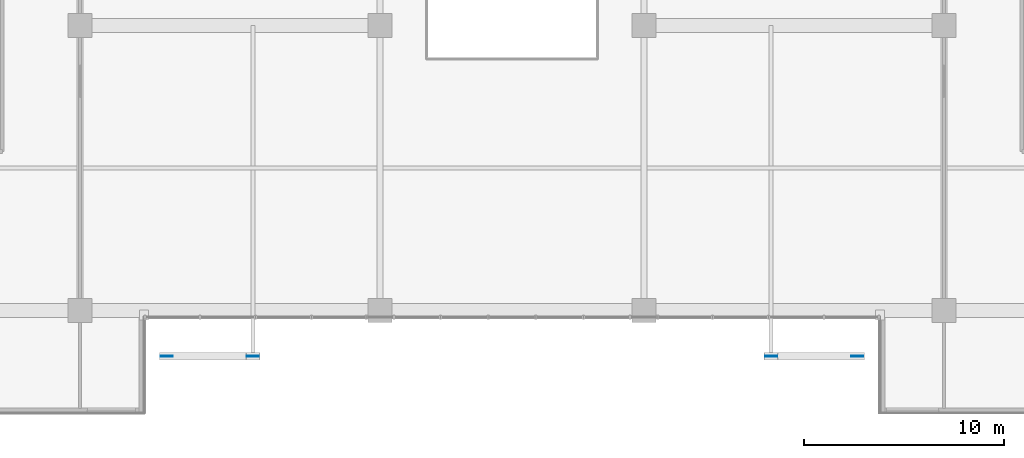
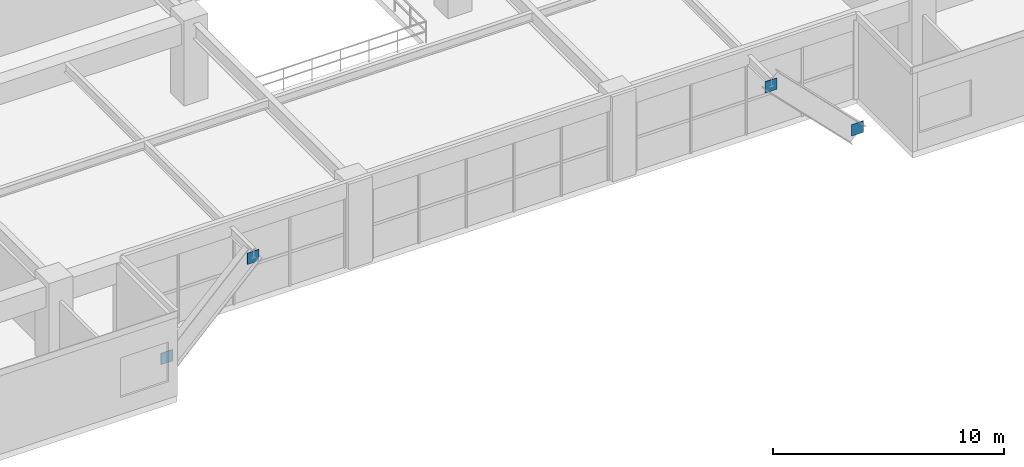
# One storey, part 14 of 24: 4 plates.
"""IFC4 building model written with IfcOpenShell, lengths in metres."""

from ifc_helpers import new_model, si_unit, direction, frame, origin, origin_2d, place, context, subcontext, project, spatial, rectangle, extrude, source, transform, mapped, material, layer, layer_set, type_object, element, save


model = new_model("IFC4")

# Units and contexts
model_context = context("Model", 3, precision=1e-05, world=origin(), true_north=direction((0.0, 1.0)))
body_context = subcontext(model_context, "Body", "Model", "MODEL_VIEW")
ifc_project = project(units=[si_unit("LENGTHUNIT", "METRE"), si_unit("AREAUNIT", "SQUARE_METRE"), si_unit("VOLUMEUNIT", "CUBIC_METRE"), si_unit("PLANEANGLEUNIT", "RADIAN"), si_unit("MASSUNIT", "GRAM", prefix="KILO")], contexts=[model_context])

# Site, building, storey
site_placement = place(None, origin())
site = spatial("IfcSite", under=ifc_project, at=site_placement, CompositionType="ELEMENT")
building_placement = place(site_placement, origin())
building = spatial("IfcBuilding", under=site, at=building_placement, Name="Trelvane Seafront Commons", CompositionType="ELEMENT")
storey_placement = place(building_placement, frame((0.0, 0.0, 5.199951171875)))
storey = spatial("IfcBuildingStorey", under=building, at=storey_placement, Name="L01", CompositionType="ELEMENT", Elevation=5.199951171875)

# Plates
ifc_material = material(Name="Steel SM355 (S355)", Category="steel")
ifc_layer = layer(ifc_material, 0.031982421875, Name="STR-PLT-GUS2")
ifc_layer_set = layer_set([ifc_layer], Name="Steel SM355 (S355)")
plate_type = type_object("IfcPlateType", Name="STR-PLT-GUS2", PredefinedType="SHEET", material=ifc_layer_set)
shared_shape = source(origin(), body_context, "Body", "SweptSolid", [
    extrude(rectangle(XDim=0.60009765625, YDim=0.031982421875, at=origin_2d()), origin(), (0.0, 0.0, 1.0), 0.60009765625),
])
for number, where, z_axis, x_axis, name in (
    (1, (19.919921875, 1.64990234375, -0.3701171875), (0.0, 0.0, 1.0), (1.0, 0.0, 0.0), "L01 Brace Connection Gusset Plate GP-147"),
    (2, (24.239990234375, 1.64990234375, 3.419921875), (0.0, 0.0, 1.0), (1.0, 0.0, 0.0), "L01 Brace Connection Gusset Plate GP-148"),
    (3, (54.47998046875, 1.64990234375, -0.3701171875), (0.0, 0.0, 1.0), (1.0, 0.0, 0.0), "L01 Brace Connection Gusset Plate GP-149"),
    (4, (50.159912109375, 1.64990234375, 3.419921875), (0.0, 0.0, 1.0), (1.0, 0.0, 0.0), "L01 Brace Connection Gusset Plate GP-150"),
):
    element("IfcPlate", number, at=place(storey_placement, frame(where, z_axis=z_axis, x_axis=x_axis)), inside=storey, type_object=plate_type, Name=name, PredefinedType="SHEET", context=body_context, shape_type="MappedRepresentation", body=[
        mapped(shared_shape, transform((0.0, 0.0, 0.0), x_axis=(1.0, 0.0, 0.0), y_axis=(0.0, 1.0, 0.0), z_axis=(0.0, 0.0, 1.0), scale=1.0)),
    ])

save(model, "model.ifc")
